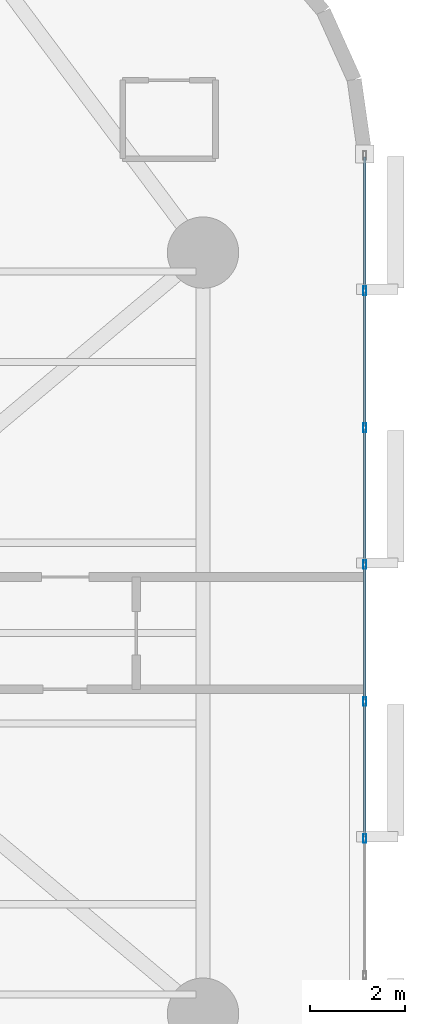
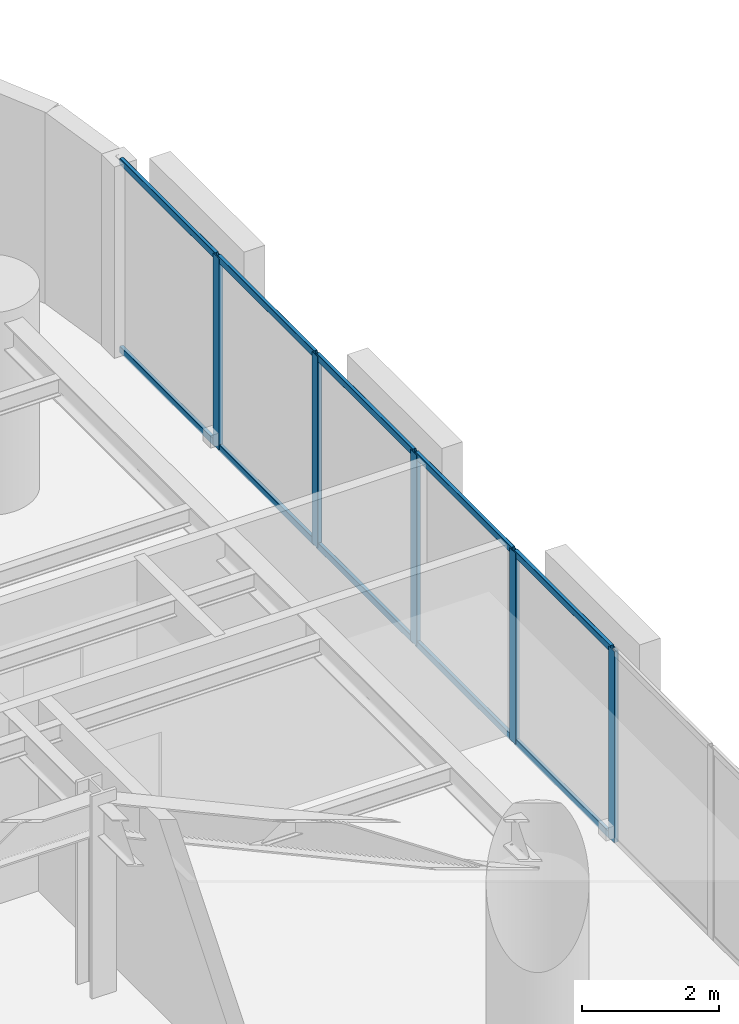
# One storey, part 6 of 17: 15 members, 1 element without a shape of its own.
"""IFC4 building model written with IfcOpenShell, lengths in metres."""

from ifc_helpers import new_model, si_unit, direction, frame, origin, origin_2d, place, context, subcontext, project, spatial, hollow_rectangle, extrude, material, layer, layer_set, material_profile, profile_set, type_object, element, aggregate, save


model = new_model("IFC4")

# Units and contexts
model_context = context("Model", 3, precision=1e-05, world=origin(), true_north=direction((0.0, 1.0)))
body_context = subcontext(model_context, "Body", "Model", "MODEL_VIEW")
ifc_project = project(units=[si_unit("LENGTHUNIT", "METRE"), si_unit("AREAUNIT", "SQUARE_METRE"), si_unit("VOLUMEUNIT", "CUBIC_METRE"), si_unit("PLANEANGLEUNIT", "RADIAN"), si_unit("MASSUNIT", "GRAM", prefix="KILO")], contexts=[model_context])

# Site, building, storey
site_placement = place(None, origin())
site = spatial("IfcSite", under=ifc_project, at=site_placement, CompositionType="ELEMENT")
building_placement = place(site_placement, origin())
building = spatial("IfcBuilding", under=site, at=building_placement, Name="An Khanh Terracotta Commons", CompositionType="ELEMENT")
storey_placement = place(building_placement, frame((0.0, 0.0, 32.39990234375)))
storey = spatial("IfcBuildingStorey", under=building, at=storey_placement, Name="L08", CompositionType="ELEMENT", Elevation=32.39990234375)

# Curtain wall, members
ifc_material = material(Name="Anodised Aluminium 6063-T6", Category="aluminium")
ifc_layer = layer(ifc_material, 0.199951171875, Name="Anodised Aluminium 6063-T6")
ifc_layer_set = layer_set([ifc_layer], Name="Anodised Aluminium 6063-T6")
curtain_wall_type = type_object("IfcCurtainWallType", Name="CW-SYS-02", PredefinedType="USERDEFINED", material=ifc_layer_set)
curtain_wall_placement = place(storey_placement, origin())
curtain_wall = element("IfcCurtainWall", 1, at=curtain_wall_placement, inside=storey, type_object=curtain_wall_type, Name="L08 CW-02 Unitised Curtain Wall CW-L08-12", ObjectType="UNITISED CURTAIN WALL", PredefinedType="USERDEFINED")
ifc_material_profile_1 = material_profile(ifc_material, hollow_rectangle(XDim=0.070068359375, YDim=0.179931640625, WallThickness=0.00390625, InnerFilletRadius=0.00390625, OuterFilletRadius=0.008056640625, at=origin_2d()), Name="RHS180x70x4")
ifc_profile_set_1 = profile_set([ifc_material_profile_1], Name="Anodised Aluminium 6063-T6")
member_type_1 = type_object("IfcMemberType", Name="CWM-RHS180x70x4", PredefinedType="MULLION", material=ifc_profile_set_1)
member_1_placement = place(storey_placement, frame((51.60009765625, 19.681396484375, 0.0), z_axis=(0.0, 0.0, 1.0), x_axis=(-1.0, 0.0, 0.0)))
member_1 = element("IfcMember", 2, at=member_1_placement, type_object=member_type_1, Name="CW-02 mullion 3", PredefinedType="MULLION", context=body_context, shape_type="SweptSolid", body=[
    extrude(hollow_rectangle(XDim=0.070068359375, YDim=0.179931640625, WallThickness=0.00390625, InnerFilletRadius=0.00390625, OuterFilletRadius=0.008056640625, at=origin_2d()), origin(), (0.0, 0.0, 1.0), 3.400146484375),
])
member_2_placement = place(storey_placement, frame((51.60009765625, 22.560546875, 0.0), z_axis=(0.0, 0.0, 1.0), x_axis=(-1.0, 0.0, 0.0)))
member_2 = element("IfcMember", 3, at=member_2_placement, type_object=member_type_1, Name="CW-02 mullion 4", PredefinedType="MULLION", context=body_context, shape_type="SweptSolid", body=[
    extrude(hollow_rectangle(XDim=0.070068359375, YDim=0.179931640625, WallThickness=0.00390625, InnerFilletRadius=0.00390625, OuterFilletRadius=0.008056640625, at=origin_2d()), origin(), (0.0, 0.0, 1.0), 3.400146484375),
])
member_3_placement = place(storey_placement, frame((51.60009765625, 25.439453125, 0.0), z_axis=(0.0, 0.0, 1.0), x_axis=(-1.0, 0.0, 0.0)))
member_3 = element("IfcMember", 4, at=member_3_placement, type_object=member_type_1, Name="CW-02 mullion 5", PredefinedType="MULLION", context=body_context, shape_type="SweptSolid", body=[
    extrude(hollow_rectangle(XDim=0.070068359375, YDim=0.179931640625, WallThickness=0.00390625, InnerFilletRadius=0.00390625, OuterFilletRadius=0.008056640625, at=origin_2d()), origin(), (0.0, 0.0, 1.0), 3.400146484375),
])
member_4_placement = place(storey_placement, frame((51.60009765625, 28.318603515625, 0.0), z_axis=(0.0, 0.0, 1.0), x_axis=(-1.0, 0.0, 0.0)))
member_4 = element("IfcMember", 5, at=member_4_placement, type_object=member_type_1, Name="CW-02 mullion 6", PredefinedType="MULLION", context=body_context, shape_type="SweptSolid", body=[
    extrude(hollow_rectangle(XDim=0.070068359375, YDim=0.179931640625, WallThickness=0.00390625, InnerFilletRadius=0.00390625, OuterFilletRadius=0.008056640625, at=origin_2d()), origin(), (0.0, 0.0, 1.0), 3.400146484375),
])
member_5_placement = place(storey_placement, frame((51.60009765625, 31.19775390625, 0.0), z_axis=(0.0, 0.0, 1.0), x_axis=(-1.0, 0.0, 0.0)))
member_5 = element("IfcMember", 6, at=member_5_placement, type_object=member_type_1, Name="CW-02 mullion 7", PredefinedType="MULLION", context=body_context, shape_type="SweptSolid", body=[
    extrude(hollow_rectangle(XDim=0.070068359375, YDim=0.179931640625, WallThickness=0.00390625, InnerFilletRadius=0.00390625, OuterFilletRadius=0.008056640625, at=origin_2d()), origin(), (0.0, 0.0, 1.0), 3.400146484375),
])
ifc_material_profile_2 = material_profile(ifc_material, hollow_rectangle(XDim=0.06005859375, YDim=0.1201171875, WallThickness=0.003662109375, InnerFilletRadius=0.003662109375, OuterFilletRadius=0.007080078125, at=origin_2d()), Name="RHS120x60x3.6")
ifc_profile_set_2 = profile_set([ifc_material_profile_2], Name="Anodised Aluminium 6063-T6")
member_type_2 = type_object("IfcMemberType", Name="CWT-RHS120x60x3.6", PredefinedType="USERDEFINED", material=ifc_profile_set_2)
member_6_placement = place(storey_placement, frame((51.60009765625, 19.71630859375, 0.030029296875), z_axis=(0.0, 1.0, 0.0), x_axis=(-1.0, 0.0, 0.0)))
member_6 = element("IfcMember", 7, at=member_6_placement, type_object=member_type_2, Name="CW-02 transom 3.1", ObjectType="TRANSOM", PredefinedType="USERDEFINED", context=body_context, shape_type="SweptSolid", body=[
    extrude(hollow_rectangle(XDim=0.06005859375, YDim=0.1201171875, WallThickness=0.003662109375, InnerFilletRadius=0.003662109375, OuterFilletRadius=0.007080078125, at=origin_2d()), origin(), (0.0, 0.0, 1.0), 2.80908203125),
])
member_7_placement = place(storey_placement, frame((51.60009765625, 19.71630859375, 3.3701171875), z_axis=(0.0, 1.0, 0.0), x_axis=(-1.0, 0.0, 0.0)))
member_7 = element("IfcMember", 8, at=member_7_placement, type_object=member_type_2, Name="CW-02 transom 3.2", ObjectType="TRANSOM", PredefinedType="USERDEFINED", context=body_context, shape_type="SweptSolid", body=[
    extrude(hollow_rectangle(XDim=0.06005859375, YDim=0.1201171875, WallThickness=0.003662109375, InnerFilletRadius=0.003662109375, OuterFilletRadius=0.007080078125, at=origin_2d()), origin(), (0.0, 0.0, 1.0), 2.80908203125),
])
member_8_placement = place(storey_placement, frame((51.60009765625, 22.595458984375, 0.030029296875), z_axis=(0.0, 1.0, 0.0), x_axis=(-1.0, 0.0, 0.0)))
member_8 = element("IfcMember", 9, at=member_8_placement, type_object=member_type_2, Name="CW-02 transom 4.1", ObjectType="TRANSOM", PredefinedType="USERDEFINED", context=body_context, shape_type="SweptSolid", body=[
    extrude(hollow_rectangle(XDim=0.06005859375, YDim=0.1201171875, WallThickness=0.003662109375, InnerFilletRadius=0.003662109375, OuterFilletRadius=0.007080078125, at=origin_2d()), origin(), (0.0, 0.0, 1.0), 2.80908203125),
])
member_9_placement = place(storey_placement, frame((51.60009765625, 22.595458984375, 3.3701171875), z_axis=(0.0, 1.0, 0.0), x_axis=(-1.0, 0.0, 0.0)))
member_9 = element("IfcMember", 10, at=member_9_placement, type_object=member_type_2, Name="CW-02 transom 4.2", ObjectType="TRANSOM", PredefinedType="USERDEFINED", context=body_context, shape_type="SweptSolid", body=[
    extrude(hollow_rectangle(XDim=0.06005859375, YDim=0.1201171875, WallThickness=0.003662109375, InnerFilletRadius=0.003662109375, OuterFilletRadius=0.007080078125, at=origin_2d()), origin(), (0.0, 0.0, 1.0), 2.80908203125),
])
member_10_placement = place(storey_placement, frame((51.60009765625, 25.474609375, 0.030029296875), z_axis=(0.0, 1.0, 0.0), x_axis=(-1.0, 0.0, 0.0)))
member_10 = element("IfcMember", 11, at=member_10_placement, type_object=member_type_2, Name="CW-02 transom 5.1", ObjectType="TRANSOM", PredefinedType="USERDEFINED", context=body_context, shape_type="SweptSolid", body=[
    extrude(hollow_rectangle(XDim=0.06005859375, YDim=0.1201171875, WallThickness=0.003662109375, InnerFilletRadius=0.003662109375, OuterFilletRadius=0.007080078125, at=origin_2d()), origin(), (0.0, 0.0, 1.0), 2.80908203125),
])
member_11_placement = place(storey_placement, frame((51.60009765625, 25.474609375, 3.3701171875), z_axis=(0.0, 1.0, 0.0), x_axis=(-1.0, 0.0, 0.0)))
member_11 = element("IfcMember", 12, at=member_11_placement, type_object=member_type_2, Name="CW-02 transom 5.2", ObjectType="TRANSOM", PredefinedType="USERDEFINED", context=body_context, shape_type="SweptSolid", body=[
    extrude(hollow_rectangle(XDim=0.06005859375, YDim=0.1201171875, WallThickness=0.003662109375, InnerFilletRadius=0.003662109375, OuterFilletRadius=0.007080078125, at=origin_2d()), origin(), (0.0, 0.0, 1.0), 2.80908203125),
])
member_12_placement = place(storey_placement, frame((51.60009765625, 28.353759765625, 0.030029296875), z_axis=(0.0, 1.0, 0.0), x_axis=(-1.0, 0.0, 0.0)))
member_12 = element("IfcMember", 13, at=member_12_placement, type_object=member_type_2, Name="CW-02 transom 6.1", ObjectType="TRANSOM", PredefinedType="USERDEFINED", context=body_context, shape_type="SweptSolid", body=[
    extrude(hollow_rectangle(XDim=0.06005859375, YDim=0.1201171875, WallThickness=0.003662109375, InnerFilletRadius=0.003662109375, OuterFilletRadius=0.007080078125, at=origin_2d()), origin(), (0.0, 0.0, 1.0), 2.80908203125),
])
member_13_placement = place(storey_placement, frame((51.60009765625, 28.353759765625, 3.3701171875), z_axis=(0.0, 1.0, 0.0), x_axis=(-1.0, 0.0, 0.0)))
member_13 = element("IfcMember", 14, at=member_13_placement, type_object=member_type_2, Name="CW-02 transom 6.2", ObjectType="TRANSOM", PredefinedType="USERDEFINED", context=body_context, shape_type="SweptSolid", body=[
    extrude(hollow_rectangle(XDim=0.06005859375, YDim=0.1201171875, WallThickness=0.003662109375, InnerFilletRadius=0.003662109375, OuterFilletRadius=0.007080078125, at=origin_2d()), origin(), (0.0, 0.0, 1.0), 2.80908203125),
])
member_14_placement = place(storey_placement, frame((51.60009765625, 31.23291015625, 0.030029296875), z_axis=(0.0, 1.0, 0.0), x_axis=(-1.0, 0.0, 0.0)))
member_14 = element("IfcMember", 15, at=member_14_placement, type_object=member_type_2, Name="CW-02 transom 7.1", ObjectType="TRANSOM", PredefinedType="USERDEFINED", context=body_context, shape_type="SweptSolid", body=[
    extrude(hollow_rectangle(XDim=0.06005859375, YDim=0.1201171875, WallThickness=0.003662109375, InnerFilletRadius=0.003662109375, OuterFilletRadius=0.007080078125, at=origin_2d()), origin(), (0.0, 0.0, 1.0), 2.774169921875),
])
member_15_placement = place(storey_placement, frame((51.60009765625, 31.23291015625, 3.3701171875), z_axis=(0.0, 1.0, 0.0), x_axis=(-1.0, 0.0, 0.0)))
member_15 = element("IfcMember", 16, at=member_15_placement, type_object=member_type_2, Name="CW-02 transom 7.2", ObjectType="TRANSOM", PredefinedType="USERDEFINED", context=body_context, shape_type="SweptSolid", body=[
    extrude(hollow_rectangle(XDim=0.06005859375, YDim=0.1201171875, WallThickness=0.003662109375, InnerFilletRadius=0.003662109375, OuterFilletRadius=0.007080078125, at=origin_2d()), origin(), (0.0, 0.0, 1.0), 2.774169921875),
])
aggregate(curtain_wall, [member_1, member_2, member_3, member_4, member_5, member_6, member_7, member_8, member_9, member_10, member_11, member_12, member_13, member_14, member_15])

save(model, "model.ifc")
